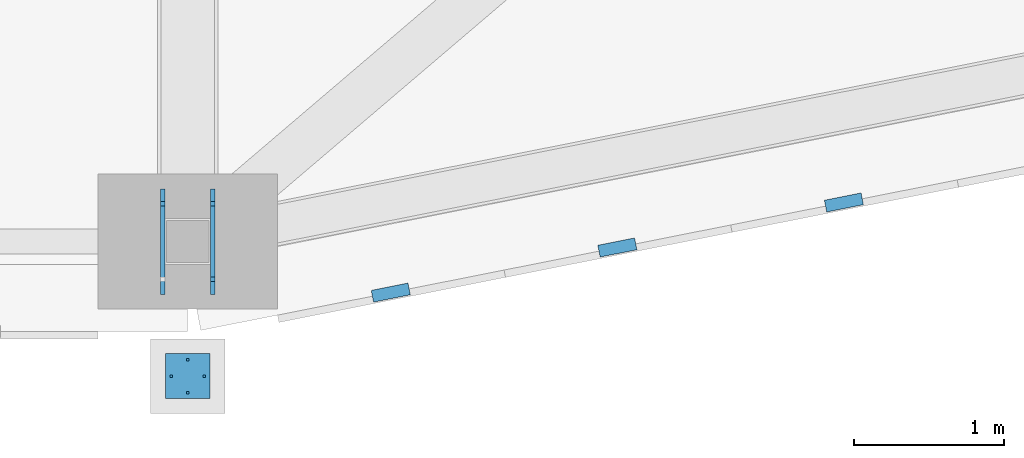
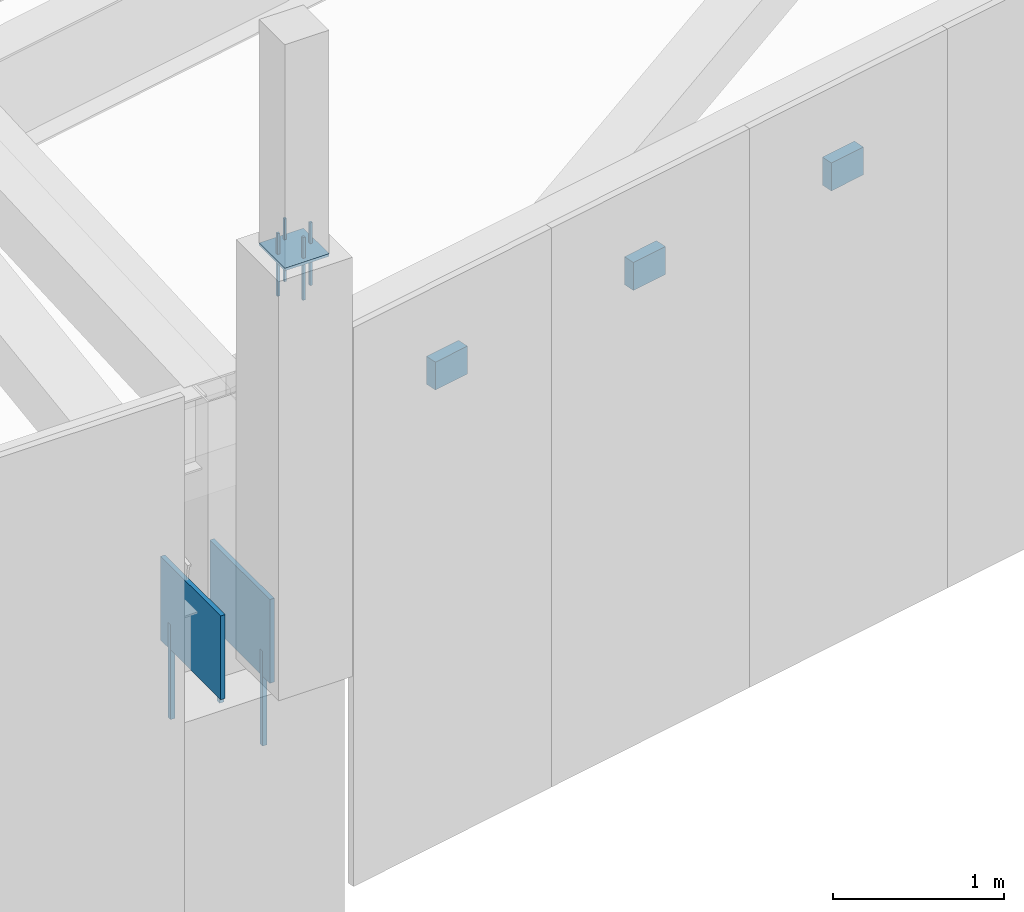
# One storey, part 144 of 278: 7 mechanical fasteners, 6 discrete accessories.
"""IFC4 building model written with IfcOpenShell, lengths in metres."""

from ifc_helpers import new_model, si_unit, direction, frame, origin, origin_2d, place, context, subcontext, project, spatial, rectangle, extrude, material, layer, layer_set, type_object, element, save


model = new_model("IFC4")

# Units and contexts
model_context = context("Model", 3, precision=1e-05, world=origin(), true_north=direction((0.0, 1.0)))
body_context = subcontext(model_context, "Body", "Model", "MODEL_VIEW")
ifc_project = project(units=[si_unit("LENGTHUNIT", "METRE"), si_unit("AREAUNIT", "SQUARE_METRE"), si_unit("VOLUMEUNIT", "CUBIC_METRE"), si_unit("PLANEANGLEUNIT", "RADIAN"), si_unit("MASSUNIT", "GRAM", prefix="KILO")], contexts=[model_context])

# Site, building, storey
site_placement = place(None, origin())
site = spatial("IfcSite", under=ifc_project, at=site_placement, CompositionType="ELEMENT")
building_placement = place(site_placement, origin())
building = spatial("IfcBuilding", under=site, at=building_placement, Name="Ogive Plaza Stadium", CompositionType="ELEMENT")
storey_placement = place(building_placement, frame((0.0, 0.0, 29.0)))
storey = spatial("IfcBuildingStorey", under=building, at=storey_placement, Name="Roof", CompositionType="ELEMENT", Elevation=29.0)

# Mechanical fasteners
ifc_material_1 = material(Name="Steel ASTM A992 Grade 50", Category="steel")
mechanical_fastener_type_1 = type_object("IfcMechanicalFastenerType", Name="Anchor bolt M30 x 600", PredefinedType="ANCHORBOLT", material=ifc_material_1)
for number, where, z_axis, x_axis, name in (
    (1, (34.16650390625, -102.75244140625, 3.0), (0.0, 0.0, 1.0), (0.0, -1.0, 0.0), "ANCHOR BOLT 12 BF 1.1"),
    (2, (34.16650390625, -102.24755859375, 3.0), (0.0, 0.0, 1.0), (0.0, -1.0, 0.0), "ANCHOR BOLT 12 BF 1.2"),
    (3, (33.83349609375, -102.24755859375, 3.0), (0.0, 0.0, 1.0), (0.0, -1.0, 0.0), "ANCHOR BOLT 12 BF 2.2"),
):
    element("IfcMechanicalFastener", number, at=place(storey_placement, frame(where, z_axis=z_axis, x_axis=x_axis)), inside=storey, type_object=mechanical_fastener_type_1, Name=name, PredefinedType="ANCHORBOLT", context=body_context, shape_type="SweptSolid", body=[
        extrude(rectangle(XDim=0.030029296875, YDim=0.030029296875, at=origin_2d()), origin(), (0.0, 0.0, 1.0), 0.679931640625),
    ])
ifc_material_2 = material(Name="Steel ASTM A992 Grade 50", Category="steel")
mechanical_fastener_type_2 = type_object("IfcMechanicalFastenerType", Name="Spire anchor bolt M16 x 450", PredefinedType="ANCHORBOLT", material=ifc_material_2)
for number, where, z_axis, x_axis, name in (
    (4, (34.0, -103.510009765625, 6.7001953125), (0.0, 0.0, 1.0), (0.0, -1.0, 0.0), "SPIRE ANCHOR BOLT 12 1"),
    (5, (34.0, -103.2900390625, 6.7001953125), (0.0, 0.0, 1.0), (0.0, -1.0, 0.0), "SPIRE ANCHOR BOLT 12 2"),
    (6, (34.110107421875, -103.39990234375, 6.7001953125), (0.0, 0.0, 1.0), (0.0, -1.0, 0.0), "SPIRE ANCHOR BOLT 12 3"),
    (7, (33.889892578125, -103.39990234375, 6.7001953125), (0.0, 0.0, 1.0), (0.0, -1.0, 0.0), "SPIRE ANCHOR BOLT 12 4"),
):
    element("IfcMechanicalFastener", number, at=place(storey_placement, frame(where, z_axis=z_axis, x_axis=x_axis)), inside=storey, type_object=mechanical_fastener_type_2, Name=name, PredefinedType="ANCHORBOLT", context=body_context, shape_type="SweptSolid", body=[
        extrude(rectangle(XDim=0.01611328125, YDim=0.01611328125, at=origin_2d()), origin(), (0.0, 0.0, 1.0), 0.449951171875),
    ])

# Discrete accessories
ifc_material_3 = material(Name="Steel ASTM A992 Grade 50", Category="steel")
ifc_layer_1 = layer(ifc_material_3, 0.02001953125)
ifc_layer_set_1 = layer_set([ifc_layer_1], Name="Steel ASTM A992 Grade 50")
discrete_accessory_type_1 = type_object("IfcDiscreteAccessoryType", Name="Spire seat plate 20", PredefinedType="ANCHORPLATE", material=ifc_layer_set_1)
discrete_accessory_placement = place(storey_placement, frame((34.0, -103.39990234375, 6.98095703125), z_axis=(0.0, 0.0, 1.0), x_axis=(0.0, -1.0, 0.0)))
element("IfcDiscreteAccessory", 8, at=discrete_accessory_placement, inside=storey, type_object=discrete_accessory_type_1, Name="SPIRE SEAT PLATE 12", PredefinedType="ANCHORPLATE", context=body_context, shape_type="SweptSolid", body=[
    extrude(rectangle(XDim=0.300048828125, YDim=0.300048828125, at=origin_2d()), origin(), (0.0, 0.0, 1.0), 0.02001953125),
])
ifc_material_4 = material(Name="Steel ASTM A572 Grade 50", Category="steel")
ifc_layer_2 = layer(ifc_material_4, 0.080078125)
ifc_layer_set_2 = layer_set([ifc_layer_2], Name="Steel ASTM A572 Grade 50")
discrete_accessory_type_2 = type_object("IfcDiscreteAccessoryType", Name="Tracery screen bracket 250x200", PredefinedType="BRACKET", material=ifc_layer_set_2)
for number, where, z_axis, x_axis, name in (
    (9, (38.385009765625, -102.239013671875, 5.25), (0.0, 0.0, 1.0), (-0.980785280403, -0.195090322016, 0.0), "TRACERY SCREEN BRACKET B11 10"),
    (10, (36.87109375, -102.5400390625, 5.25), (0.0, 0.0, 1.0), (-0.980785280403, -0.195090322016, 0.0), "TRACERY SCREEN BRACKET B11 11"),
    (11, (35.35693359375, -102.84130859375, 5.25), (0.0, 0.0, 1.0), (-0.980785280403, -0.195090322016, 0.0), "TRACERY SCREEN BRACKET B11 12"),
):
    element("IfcDiscreteAccessory", number, at=place(storey_placement, frame(where, z_axis=z_axis, x_axis=x_axis)), inside=storey, type_object=discrete_accessory_type_2, Name=name, PredefinedType="BRACKET", context=body_context, shape_type="SweptSolid", body=[
        extrude(rectangle(XDim=0.25, YDim=0.080078125, at=origin_2d()), origin(), (0.0, 0.0, 1.0), 0.199951171875),
    ])
ifc_material_5 = material(Name="Steel ASTM A992 Grade 50", Category="steel")
ifc_layer_3 = layer(ifc_material_5, 0.030029296875)
ifc_layer_set_3 = layer_set([ifc_layer_3], Name="Steel ASTM A992 Grade 50")
discrete_accessory_type_3 = type_object("IfcDiscreteAccessoryType", Name="Truss back-stay foot cleat plate 30", PredefinedType="ANCHORPLATE", material=ifc_layer_set_3)
for number, where, z_axis, x_axis, name in (
    (12, (34.16650390625, -102.5, 3.5), (0.0, 0.0, 1.0), (0.0, -1.0, 0.0), "TRUSS BACK-STAY FOOT CLEAT PLATE 12 1"),
    (13, (33.83349609375, -102.5, 3.5), (0.0, 0.0, 1.0), (0.0, -1.0, 0.0), "TRUSS BACK-STAY FOOT CLEAT PLATE 12 2"),
):
    element("IfcDiscreteAccessory", number, at=place(storey_placement, frame(where, z_axis=z_axis, x_axis=x_axis)), inside=storey, type_object=discrete_accessory_type_3, Name=name, PredefinedType="ANCHORPLATE", context=body_context, shape_type="SweptSolid", body=[
        extrude(rectangle(XDim=0.704833984375, YDim=0.030029296875, at=origin_2d()), origin(), (0.0, 0.0, 1.0), 0.60009765625),
    ])

save(model, "model.ifc")
